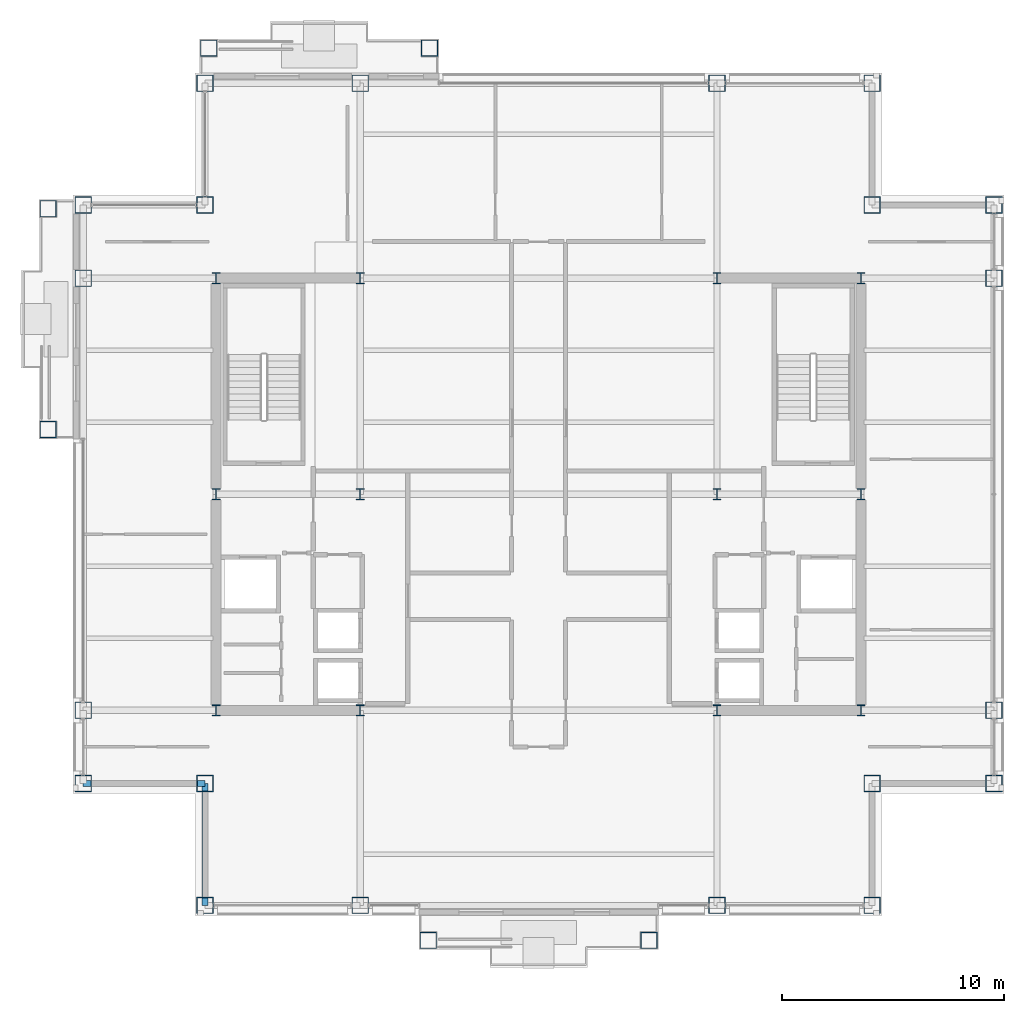
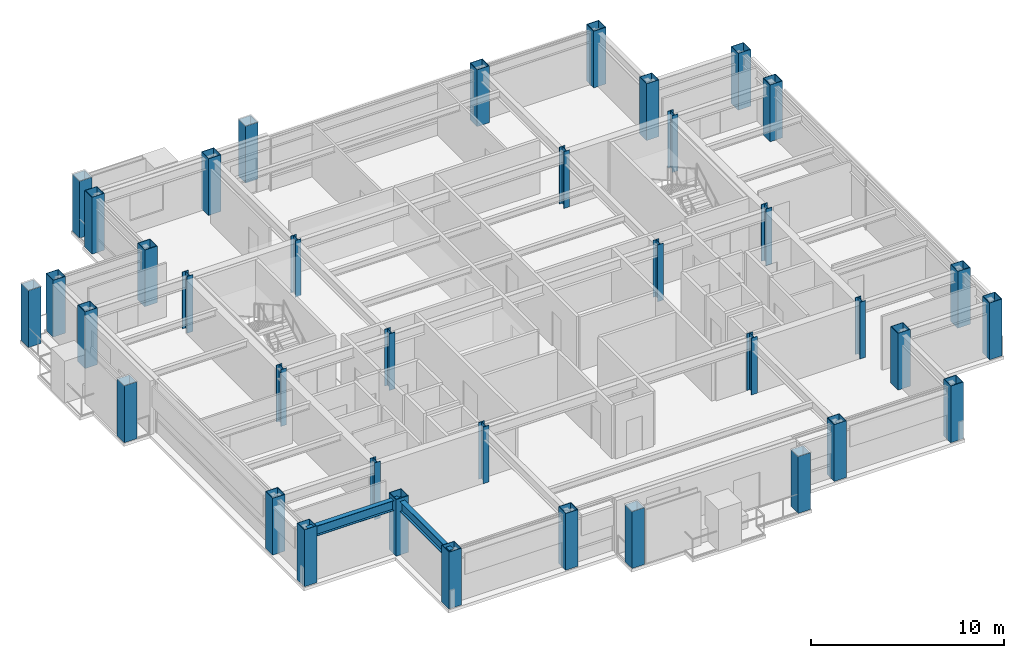
# One storey, part 1 of 30: 38 columns, 2 beams.
"""IFC4 building model written with IfcOpenShell, lengths in metres."""

from ifc_helpers import new_model, si_unit, direction, frame, origin, origin_2d, place, context, subcontext, project, spatial, hollow_rectangle, i_section, extrude, material, material_profile, profile_set, type_object, element, save


model = new_model("IFC4")

# Units and contexts
model_context = context("Model", 3, precision=1e-05, world=origin(), true_north=direction((0.0, 1.0)))
body_context = subcontext(model_context, "Body", "Model", "MODEL_VIEW")
ifc_project = project(units=[si_unit("LENGTHUNIT", "METRE"), si_unit("AREAUNIT", "SQUARE_METRE"), si_unit("VOLUMEUNIT", "CUBIC_METRE"), si_unit("PLANEANGLEUNIT", "RADIAN"), si_unit("MASSUNIT", "GRAM", prefix="KILO")], contexts=[model_context])

# Site, building, storey
site_placement = place(None, origin())
site = spatial("IfcSite", under=ifc_project, at=site_placement, CompositionType="ELEMENT")
building_placement = place(site_placement, origin())
building = spatial("IfcBuilding", under=site, at=building_placement, Name="Brelmoor Portico Tower", CompositionType="ELEMENT")
storey_placement = place(building_placement, frame((0.0, 0.0, 169.5)))
storey = spatial("IfcBuildingStorey", under=building, at=storey_placement, Name="L44", CompositionType="ELEMENT", Elevation=169.5)

# Columns
ifc_material = material(Name="Steel Q355B", Category="steel")
ifc_material_profile_1 = material_profile(ifc_material, hollow_rectangle(XDim=0.75, YDim=0.75, WallThickness=0.031982421875, at=origin_2d()), Name="BOX 750x750x32")
ifc_profile_set_1 = profile_set([ifc_material_profile_1], Name="Steel Q355B")
column_type_1 = type_object("IfcColumnType", Name="COL-MEGA-750", PredefinedType="COLUMN", material=ifc_profile_set_1)
for number, where, z_axis, x_axis, name in (
    (1, (-15.050048828125, -18.550048828125, 0.0), (0.0, 0.0, 1.0), (1.0, 0.0, 0.0), "L44 Perimeter Mega-Column PS01"),
    (2, (-8.050048828125, -18.550048828125, 0.0), (0.0, 0.0, 1.0), (1.0, 0.0, 0.0), "L44 Perimeter Mega-Column PS02"),
    (3, (8.050048828125, -18.550048828125, 0.0), (0.0, 0.0, 1.0), (1.0, 0.0, 0.0), "L44 Perimeter Mega-Column PS03"),
    (4, (15.050048828125, -18.550048828125, 0.0), (0.0, 0.0, 1.0), (1.0, 0.0, 0.0), "L44 Perimeter Mega-Column PS04"),
    (5, (-15.050048828125, 18.550048828125, 0.0), (0.0, 0.0, 1.0), (1.0, 0.0, 0.0), "L44 Perimeter Mega-Column PN01"),
    (6, (-8.050048828125, 18.550048828125, 0.0), (0.0, 0.0, 1.0), (1.0, 0.0, 0.0), "L44 Perimeter Mega-Column PN02"),
    (7, (8.050048828125, 18.550048828125, 0.0), (0.0, 0.0, 1.0), (1.0, 0.0, 0.0), "L44 Perimeter Mega-Column PN03"),
    (8, (15.050048828125, 18.550048828125, 0.0), (0.0, 0.0, 1.0), (1.0, 0.0, 0.0), "L44 Perimeter Mega-Column PN04"),
    (9, (-20.550048828125, -13.050048828125, 0.0), (0.0, 0.0, 1.0), (0.0, 1.0, 0.0), "L44 Perimeter Mega-Column PW01"),
    (10, (-20.550048828125, -9.75, 0.0), (0.0, 0.0, 1.0), (0.0, 1.0, 0.0), "L44 Perimeter Mega-Column PW02"),
    (11, (-20.550048828125, 9.75, 0.0), (0.0, 0.0, 1.0), (0.0, 1.0, 0.0), "L44 Perimeter Mega-Column PW03"),
    (12, (-20.550048828125, 13.050048828125, 0.0), (0.0, 0.0, 1.0), (0.0, 1.0, 0.0), "L44 Perimeter Mega-Column PW04"),
    (13, (20.550048828125, -13.050048828125, 0.0), (0.0, 0.0, 1.0), (0.0, 1.0, 0.0), "L44 Perimeter Mega-Column PE01"),
    (14, (20.550048828125, -9.75, 0.0), (0.0, 0.0, 1.0), (0.0, 1.0, 0.0), "L44 Perimeter Mega-Column PE02"),
    (15, (20.550048828125, 9.75, 0.0), (0.0, 0.0, 1.0), (0.0, 1.0, 0.0), "L44 Perimeter Mega-Column PE03"),
    (16, (20.550048828125, 13.050048828125, 0.0), (0.0, 0.0, 1.0), (0.0, 1.0, 0.0), "L44 Perimeter Mega-Column PE04"),
    (17, (-15.050048828125, 13.050048828125, 0.0), (0.0, 0.0, 1.0), (1.0, 0.0, 0.0), "L44 Perimeter Mega-Column PC-NW"),
    (18, (15.050048828125, 13.050048828125, 0.0), (0.0, 0.0, 1.0), (1.0, 0.0, 0.0), "L44 Perimeter Mega-Column PC-NE"),
    (19, (15.050048828125, -13.050048828125, 0.0), (0.0, 0.0, 1.0), (1.0, 0.0, 0.0), "L44 Perimeter Mega-Column PC-SE"),
    (20, (-15.050048828125, -13.050048828125, 0.0), (0.0, 0.0, 1.0), (1.0, 0.0, 0.0), "L44 Perimeter Mega-Column PC-SW"),
    (21, (-4.97998046875, -20.1298828125, 0.0), (0.0, 0.0, 1.0), (1.0, 0.0, 0.0), "L44 Proud Picture-Frame Pier PFJ-S1"),
    (22, (4.97998046875, -20.1298828125, 0.0), (0.0, 0.0, 1.0), (1.0, 0.0, 0.0), "L44 Proud Picture-Frame Pier PFJ-S2"),
    (23, (-14.8798828125, 20.1298828125, 0.0), (0.0, 0.0, 1.0), (1.0, 0.0, 0.0), "L44 Proud Picture-Frame Pier PFJ-N1"),
    (24, (-4.919921875, 20.1298828125, 0.0), (0.0, 0.0, 1.0), (1.0, 0.0, 0.0), "L44 Proud Picture-Frame Pier PFJ-N2"),
    (25, (-22.1298828125, 2.919921875, 0.0), (0.0, 0.0, 1.0), (0.0, 1.0, 0.0), "L44 Proud Picture-Frame Pier PFJ-W1"),
    (26, (-22.1298828125, 12.8798828125, 0.0), (0.0, 0.0, 1.0), (0.0, 1.0, 0.0), "L44 Proud Picture-Frame Pier PFJ-W2"),
):
    element("IfcColumn", number, at=place(storey_placement, frame(where, z_axis=z_axis, x_axis=x_axis)), inside=storey, type_object=column_type_1, Name=name, PredefinedType="COLUMN", context=body_context, shape_type="SweptSolid", body=[
        extrude(hollow_rectangle(XDim=0.75, YDim=0.75, WallThickness=0.031982421875, at=origin_2d()), origin(), (0.0, 0.0, 1.0), 3.60009765625),
    ])
ifc_material_profile_2 = material_profile(ifc_material, i_section(OverallWidth=0.35009765625, OverallDepth=0.5, WebThickness=0.02001953125, FlangeThickness=0.031982421875, at=origin_2d()), Name="HW 500x350x20x32")
ifc_profile_set_2 = profile_set([ifc_material_profile_2], Name="Steel Q355B")
column_type_2 = type_object("IfcColumnType", Name="COL-SPINE-500", PredefinedType="COLUMN", material=ifc_profile_set_2)
for number, where, z_axis, x_axis, name in (
    (27, (-14.550048828125, -9.75, 0.0), (0.0, 0.0, 1.0), (1.0, 0.0, 0.0), "L44 Core Spine Column CW-SW"),
    (28, (-14.550048828125, 0.0, 0.0), (0.0, 0.0, 1.0), (1.0, 0.0, 0.0), "L44 Core Spine Column CW-MW"),
    (29, (-14.550048828125, 9.75, 0.0), (0.0, 0.0, 1.0), (1.0, 0.0, 0.0), "L44 Core Spine Column CW-NW"),
    (30, (-8.050048828125, -9.75, 0.0), (0.0, 0.0, 1.0), (1.0, 0.0, 0.0), "L44 Core Spine Column CW-SE"),
    (31, (-8.050048828125, 0.0, 0.0), (0.0, 0.0, 1.0), (1.0, 0.0, 0.0), "L44 Core Spine Column CW-ME"),
    (32, (-8.050048828125, 9.75, 0.0), (0.0, 0.0, 1.0), (1.0, 0.0, 0.0), "L44 Core Spine Column CW-NE"),
    (33, (8.050048828125, -9.75, 0.0), (0.0, 0.0, 1.0), (1.0, 0.0, 0.0), "L44 Core Spine Column CE-SW"),
    (34, (8.050048828125, 0.0, 0.0), (0.0, 0.0, 1.0), (1.0, 0.0, 0.0), "L44 Core Spine Column CE-MW"),
    (35, (8.050048828125, 9.75, 0.0), (0.0, 0.0, 1.0), (1.0, 0.0, 0.0), "L44 Core Spine Column CE-NW"),
    (36, (14.550048828125, -9.75, 0.0), (0.0, 0.0, 1.0), (1.0, 0.0, 0.0), "L44 Core Spine Column CE-SE"),
    (37, (14.550048828125, 0.0, 0.0), (0.0, 0.0, 1.0), (1.0, 0.0, 0.0), "L44 Core Spine Column CE-ME"),
    (38, (14.550048828125, 9.75, 0.0), (0.0, 0.0, 1.0), (1.0, 0.0, 0.0), "L44 Core Spine Column CE-NE"),
):
    element("IfcColumn", number, at=place(storey_placement, frame(where, z_axis=z_axis, x_axis=x_axis)), inside=storey, type_object=column_type_2, Name=name, PredefinedType="COLUMN", context=body_context, shape_type="SweptSolid", body=[
        extrude(i_section(OverallWidth=0.35009765625, OverallDepth=0.5, WebThickness=0.02001953125, FlangeThickness=0.031982421875, at=origin_2d()), origin(), (0.0, 0.0, 1.0), 3.60009765625),
    ])

# Beams
ifc_material_profile_3 = material_profile(ifc_material, i_section(OverallWidth=0.280029296875, OverallDepth=0.64990234375, WebThickness=0.012939453125, FlangeThickness=0.02197265625, at=origin_2d()), Name="HN 650x280x13x22")
ifc_profile_set_3 = profile_set([ifc_material_profile_3], Name="Steel Q355B")
beam_type = type_object("IfcBeamType", Name="BM-SP-650", PredefinedType="SPANDREL", material=ifc_profile_set_3)
for number, where, z_axis, x_axis, name in (
    (39, (-20.550048828125, -13.050048828125, 3.074951171875), (1.0, 0.0, 0.0), (0.0, 1.0, 0.0), "L44 Perimeter Spandrel Beam SP-04"),
    (40, (-15.050048828125, -18.550048828125, 3.074951171875), (0.0, 1.0, 0.0), (-1.0, 0.0, 0.0), "L44 Perimeter Spandrel Beam SP-14"),
):
    element("IfcBeam", number, at=place(storey_placement, frame(where, z_axis=z_axis, x_axis=x_axis)), inside=storey, type_object=beam_type, Name=name, PredefinedType="SPANDREL", context=body_context, shape_type="SweptSolid", body=[
        extrude(i_section(OverallWidth=0.280029296875, OverallDepth=0.64990234375, WebThickness=0.012939453125, FlangeThickness=0.02197265625, at=origin_2d()), origin(), (0.0, 0.0, 1.0), 5.5),
    ])

save(model, "model.ifc")
